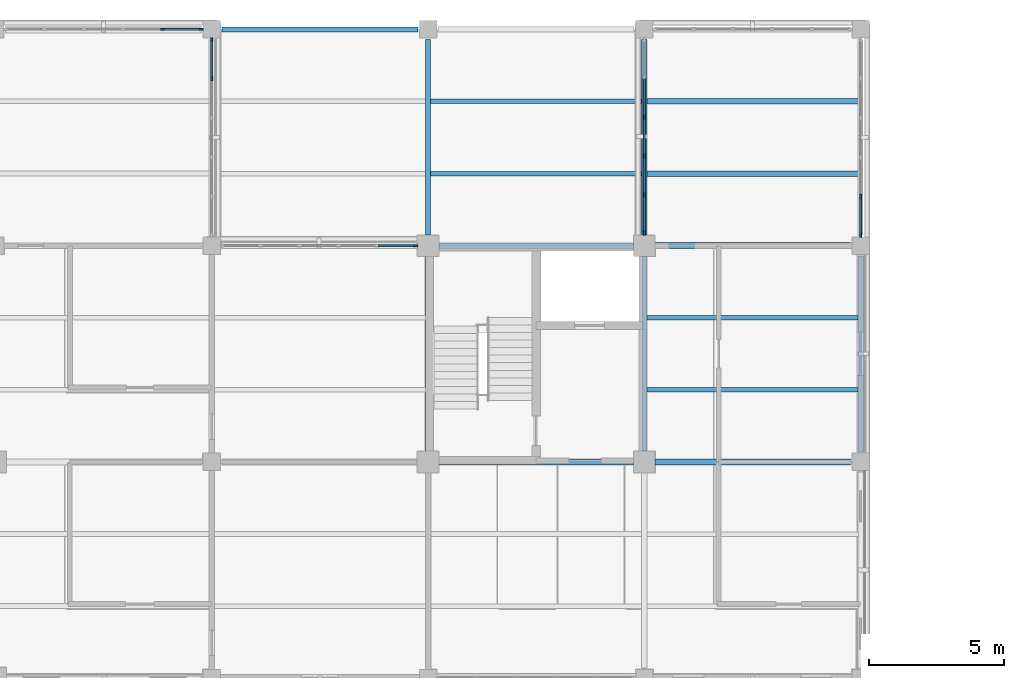
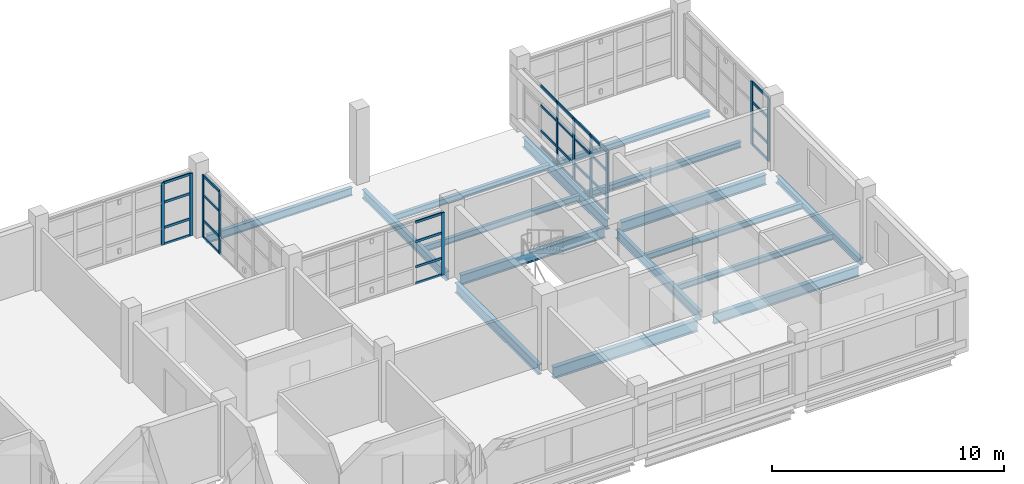
# One storey, part 37 of 126: 43 members, 16 beams, 5 elements without a shape of their own.
"""IFC4 building model written with IfcOpenShell, lengths in metres."""

from ifc_helpers import new_model, si_unit, derived_unit, direction, frame, origin, origin_2d, place, context, subcontext, project, spatial, rectangle, i_section, extrude, material, layer, layer_set, material_profile, profile_set, type_object, element, aggregate, save


model = new_model("IFC4")

# Units and contexts
model_context = context("Model", 3, precision=1e-05, world=origin(), true_north=direction((0.0, 1.0)))
body_context = subcontext(model_context, "Body", "Model", "MODEL_VIEW")
ifc_project = project(units=[si_unit("LENGTHUNIT", "METRE"), si_unit("AREAUNIT", "SQUARE_METRE"), si_unit("VOLUMEUNIT", "CUBIC_METRE"), si_unit("PLANEANGLEUNIT", "RADIAN"), si_unit("MASSUNIT", "GRAM", prefix="KILO"), derived_unit("THERMALTRANSMITTANCEUNIT", [(si_unit("MASSUNIT", "GRAM", prefix="KILO"), 1), (si_unit("TIMEUNIT", "SECOND"), -3), (si_unit("THERMODYNAMICTEMPERATUREUNIT", "KELVIN"), -1)])], contexts=[model_context])

# Site, building, storey
site_placement = place(None, origin())
site = spatial("IfcSite", under=ifc_project, at=site_placement, CompositionType="ELEMENT")
building_placement = place(site_placement, origin())
building = spatial("IfcBuilding", under=site, at=building_placement, Name="Veyamyaing Civic Hall", CompositionType="ELEMENT")
storey_placement = place(building_placement, frame((0.0, 0.0, 9.89990234375)))
storey = spatial("IfcBuildingStorey", under=building, at=storey_placement, Name="L02", CompositionType="ELEMENT", Elevation=9.89990234375)

# Beams
ifc_material_1 = material(Name="Steel ASTM A992", Category="steel")
ifc_material_profile_1 = material_profile(ifc_material_1, i_section(OverallWidth=0.22802734375, OverallDepth=0.60791015625, WebThickness=0.01123046875, FlangeThickness=0.017333984375, FilletRadius=0.012939453125, at=origin_2d()), Name="W610X113")
ifc_profile_set_1 = profile_set([ifc_material_profile_1], Name="Steel ASTM A992")
beam_type_1 = type_object("IfcBeamType", Name="B-06", PredefinedType="BEAM", material=ifc_profile_set_1)
beam_1_placement = place(storey_placement, frame((32.39990234375, 96.0, -0.5888671875), z_axis=(1.0, 0.0, 0.0), x_axis=(0.0, 1.0, 0.0)))
element("IfcBeam", 1, at=beam_1_placement, inside=storey, type_object=beam_type_1, Name="Girder B-06 L02 Grid N 5-6", PredefinedType="BEAM", context=body_context, shape_type="SweptSolid", body=[
    extrude(i_section(OverallWidth=0.22802734375, OverallDepth=0.60791015625, WebThickness=0.01123046875, FlangeThickness=0.017333984375, FilletRadius=0.012939453125, at=origin_2d()), origin(), (0.0, 0.0, 1.0), 7.2001953125),
])
ifc_material_profile_2 = material_profile(ifc_material_1, i_section(OverallWidth=0.208984375, OverallDepth=0.532958984375, WebThickness=0.01025390625, FlangeThickness=0.015625, FilletRadius=0.011962890625, at=origin_2d()), Name="W530X92")
ifc_profile_set_2 = profile_set([ifc_material_profile_2], Name="Steel ASTM A992")
beam_type_2 = type_object("IfcBeamType", Name="B-07", PredefinedType="BEAM", material=ifc_profile_set_2)
beam_2_placement = place(storey_placement, frame((40.39990234375, 96.0, -0.551513671875), z_axis=(1.0, 0.0, 0.0), x_axis=(0.0, 1.0, 0.0)))
element("IfcBeam", 2, at=beam_2_placement, inside=storey, type_object=beam_type_2, Name="Girder B-07 L02 Grid N 6-7", PredefinedType="BEAM", context=body_context, shape_type="SweptSolid", body=[
    extrude(i_section(OverallWidth=0.208984375, OverallDepth=0.532958984375, WebThickness=0.01025390625, FlangeThickness=0.015625, FilletRadius=0.011962890625, at=origin_2d()), origin(), (0.0, 0.0, 1.0), 7.22509765625),
])
for number, where, z_axis, x_axis, name in (
    (3, (32.39990234375, 104.0, -0.551513671875), (1.0, 0.0, 0.0), (0.0, 1.0, 0.0), "Girder B-07 L02 Grid P 5-6"),
    (4, (32.0, 96.39990234375, -0.551513671875), (0.0, 1.0, 0.0), (-1.0, 0.0, 0.0), "Girder B-07 L02 Grid 5 N-P"),
):
    element("IfcBeam", number, at=place(storey_placement, frame(where, z_axis=z_axis, x_axis=x_axis)), inside=storey, type_object=beam_type_2, Name=name, PredefinedType="BEAM", context=body_context, shape_type="SweptSolid", body=[
        extrude(i_section(OverallWidth=0.208984375, OverallDepth=0.532958984375, WebThickness=0.01025390625, FlangeThickness=0.015625, FilletRadius=0.011962890625, at=origin_2d()), origin(), (0.0, 0.0, 1.0), 7.2001953125),
    ])
ifc_material_profile_3 = material_profile(ifc_material_1, i_section(OverallWidth=0.19189453125, OverallDepth=0.462890625, WebThickness=0.010498046875, FlangeThickness=0.017578125, FilletRadius=0.010009765625, at=origin_2d()), Name="W460X89")
ifc_profile_set_3 = profile_set([ifc_material_profile_3], Name="Steel ASTM A992")
beam_type_3 = type_object("IfcBeamType", Name="B-08", PredefinedType="BEAM", material=ifc_profile_set_3)
beam_3_placement = place(storey_placement, frame((32.0, 104.39990234375, -0.471435546875), z_axis=(0.0, 1.0, 0.0), x_axis=(-1.0, 0.0, 0.0)))
element("IfcBeam", 5, at=beam_3_placement, inside=storey, type_object=beam_type_3, Name="Girder B-08 L02 Grid 5 P-Q", PredefinedType="BEAM", context=body_context, shape_type="SweptSolid", body=[
    extrude(i_section(OverallWidth=0.19189453125, OverallDepth=0.462890625, WebThickness=0.010498046875, FlangeThickness=0.017578125, FilletRadius=0.010009765625, at=origin_2d()), origin(), (0.0, 0.0, 1.0), 7.22509765625),
])
beam_4_placement = place(storey_placement, frame((40.0, 96.39990234375, -0.516357421875), z_axis=(0.0, 1.0, 0.0), x_axis=(-1.0, 0.0, 0.0)))
element("IfcBeam", 6, at=beam_4_placement, inside=storey, type_object=beam_type_3, Name="Girder B-08 L02 Grid 6 N-P", PredefinedType="BEAM", context=body_context, shape_type="SweptSolid", body=[
    extrude(i_section(OverallWidth=0.19189453125, OverallDepth=0.462890625, WebThickness=0.010498046875, FlangeThickness=0.017578125, FilletRadius=0.010009765625, at=origin_2d()), origin(), (0.0, 0.0, 1.0), 7.2001953125),
])
ifc_material_profile_4 = material_profile(ifc_material_1, i_section(OverallWidth=0.179931640625, OverallDepth=0.4130859375, WebThickness=0.009765625, FlangeThickness=0.01611328125, FilletRadius=0.010009765625, at=origin_2d()), Name="W410X74")
ifc_profile_set_4 = profile_set([ifc_material_profile_4], Name="Steel ASTM A992")
beam_type_4 = type_object("IfcBeamType", Name="B-10", PredefinedType="SPANDREL", material=ifc_profile_set_4)
beam_5_placement = place(storey_placement, frame((24.375, 112.0, -0.4462890625), z_axis=(1.0, 0.0, 0.0), x_axis=(0.0, 1.0, 0.0)))
element("IfcBeam", 7, at=beam_5_placement, inside=storey, type_object=beam_type_4, Name="Girder B-10 L02 Grid Q 4-5", PredefinedType="SPANDREL", context=body_context, shape_type="SweptSolid", body=[
    extrude(i_section(OverallWidth=0.179931640625, OverallDepth=0.4130859375, WebThickness=0.009765625, FlangeThickness=0.01611328125, FilletRadius=0.010009765625, at=origin_2d()), origin(), (0.0, 0.0, 1.0), 7.25),
])
ifc_material_profile_5 = material_profile(ifc_material_1, i_section(OverallWidth=0.2041015625, OverallDepth=0.35009765625, WebThickness=0.0078125, FlangeThickness=0.01513671875, FilletRadius=0.010009765625, at=origin_2d()), Name="W360X72")
ifc_profile_set_5 = profile_set([ifc_material_profile_5], Name="Steel ASTM A992")
beam_type_5 = type_object("IfcBeamType", Name="B-11", PredefinedType="SPANDREL", material=ifc_profile_set_5)
beam_6_placement = place(storey_placement, frame((48.0, 96.375, -0.4599609375), z_axis=(0.0, 1.0, 0.0), x_axis=(-1.0, 0.0, 0.0)))
element("IfcBeam", 8, at=beam_6_placement, inside=storey, type_object=beam_type_5, Name="Girder B-11 L02 Grid 7 N-P", PredefinedType="SPANDREL", context=body_context, shape_type="SweptSolid", body=[
    extrude(i_section(OverallWidth=0.2041015625, OverallDepth=0.35009765625, WebThickness=0.0078125, FlangeThickness=0.01513671875, FilletRadius=0.010009765625, at=origin_2d()), origin(), (0.0, 0.0, 1.0), 7.25),
])
ifc_material_profile_6 = material_profile(ifc_material_1, i_section(OverallWidth=0.214111328125, OverallDepth=0.549072265625, WebThickness=0.0146484375, FlangeThickness=0.023681640625, FilletRadius=0.011962890625, at=origin_2d()), Name="W530X138")
ifc_profile_set_6 = profile_set([ifc_material_profile_6], Name="Steel ASTM A992")
beam_type_6 = type_object("IfcBeamType", Name="B-16", PredefinedType="BEAM", material=ifc_profile_set_6)
beam_7_placement = place(storey_placement, frame((40.39990234375, 104.0, -0.559326171875), z_axis=(1.0, 0.0, 0.0), x_axis=(0.0, 1.0, 0.0)))
element("IfcBeam", 9, at=beam_7_placement, inside=storey, type_object=beam_type_6, Name="Girder B-16 L02 Grid P 6-7", PredefinedType="BEAM", context=body_context, shape_type="SweptSolid", body=[
    extrude(i_section(OverallWidth=0.214111328125, OverallDepth=0.549072265625, WebThickness=0.0146484375, FlangeThickness=0.023681640625, FilletRadius=0.011962890625, at=origin_2d()), origin(), (0.0, 0.0, 1.0), 7.22509765625),
])
ifc_material_profile_7 = material_profile(ifc_material_1, i_section(OverallWidth=0.2109375, OverallDepth=0.5390625, WebThickness=0.01171875, FlangeThickness=0.018798828125, FilletRadius=0.011962890625, at=origin_2d()), Name="W530X109")
ifc_profile_set_7 = profile_set([ifc_material_profile_7], Name="Steel ASTM A992")
beam_type_7 = type_object("IfcBeamType", Name="B-17", PredefinedType="BEAM", material=ifc_profile_set_7)
beam_8_placement = place(storey_placement, frame((40.0, 104.39990234375, -0.554443359375), z_axis=(0.0, 1.0, 0.0), x_axis=(-1.0, 0.0, 0.0)))
element("IfcBeam", 10, at=beam_8_placement, inside=storey, type_object=beam_type_7, Name="Girder B-17 L02 Grid 6 P-Q", PredefinedType="BEAM", context=body_context, shape_type="SweptSolid", body=[
    extrude(i_section(OverallWidth=0.2109375, OverallDepth=0.5390625, WebThickness=0.01171875, FlangeThickness=0.018798828125, FilletRadius=0.011962890625, at=origin_2d()), origin(), (0.0, 0.0, 1.0), 7.22509765625),
])

# Curtain wall, members
ifc_material_2 = material(Name="Anodised aluminium 6063-T6", Category="aluminium")
ifc_layer = layer(ifc_material_2, 0.159912109375, Name="Anodised aluminium 6063-T6")
ifc_layer_set = layer_set([ifc_layer], Name="Anodised aluminium 6063-T6")
curtain_wall_type = type_object("IfcCurtainWallType", Name="CW-03", PredefinedType="NOTDEFINED", material=ifc_layer_set)
curtain_wall_1_placement = place(storey_placement, origin())
curtain_wall_1 = element("IfcCurtainWall", 11, at=curtain_wall_1_placement, inside=storey, type_object=curtain_wall_type, Name="Unitized curtain wall CW-03 L02 N 3.14", PredefinedType="NOTDEFINED")
ifc_material_profile_8 = material_profile(ifc_material_2, rectangle(XDim=0.06494140625, YDim=0.159912109375, at=origin_2d()), Name="ALU-MUL-65X160")
ifc_profile_set_8 = profile_set([ifc_material_profile_8], Name="Anodised aluminium 6063-T6")
member_type_1 = type_object("IfcMemberType", Name="CWM-01", PredefinedType="MULLION", material=ifc_profile_set_8)
member_1_placement = place(storey_placement, frame((22.18701171875, 112.0, 0.0), z_axis=(0.0, 0.0, 1.0), x_axis=(0.0, 1.0, 0.0)))
member_1 = element("IfcMember", 12, at=member_1_placement, type_object=member_type_1, Name="CW-03 mullion 5", PredefinedType="MULLION", context=body_context, shape_type="SweptSolid", body=[
    extrude(rectangle(XDim=0.06494140625, YDim=0.159912109375, at=origin_2d()), origin(), (0.0, 0.0, 1.0), 3.2841796875),
])
member_2_placement = place(storey_placement, frame((23.612548828125, 112.0, 0.0), z_axis=(0.0, 0.0, 1.0), x_axis=(0.0, 1.0, 0.0)))
member_2 = element("IfcMember", 13, at=member_2_placement, type_object=member_type_1, Name="CW-03 mullion 6", PredefinedType="MULLION", context=body_context, shape_type="SweptSolid", body=[
    extrude(rectangle(XDim=0.06494140625, YDim=0.159912109375, at=origin_2d()), origin(), (0.0, 0.0, 1.0), 3.2841796875),
])

curtain_wall_2_placement = place(storey_placement, origin())
curtain_wall_2 = element("IfcCurtainWall", 14, at=curtain_wall_2_placement, inside=storey, type_object=curtain_wall_type, Name="Unitized curtain wall CW-03 L02 E 3.14", PredefinedType="NOTDEFINED")
member_3_placement = place(storey_placement, frame((24.0, 110.18701171875, 0.0), z_axis=(0.0, 0.0, 1.0), x_axis=(-1.0, 0.0, 0.0)))
member_3 = element("IfcMember", 15, at=member_3_placement, type_object=member_type_1, Name="CW-03 mullion 5", PredefinedType="MULLION", context=body_context, shape_type="SweptSolid", body=[
    extrude(rectangle(XDim=0.06494140625, YDim=0.159912109375, at=origin_2d()), origin(), (0.0, 0.0, 1.0), 3.2841796875),
])
member_4_placement = place(storey_placement, frame((24.0, 111.612548828125, 0.0), z_axis=(0.0, 0.0, 1.0), x_axis=(-1.0, 0.0, 0.0)))
member_4 = element("IfcMember", 16, at=member_4_placement, type_object=member_type_1, Name="CW-03 mullion 6", PredefinedType="MULLION", context=body_context, shape_type="SweptSolid", body=[
    extrude(rectangle(XDim=0.06494140625, YDim=0.159912109375, at=origin_2d()), origin(), (0.0, 0.0, 1.0), 3.2841796875),
])

# Curtain wall, member
curtain_wall_3_placement = place(storey_placement, origin())
curtain_wall_3 = element("IfcCurtainWall", 17, at=curtain_wall_3_placement, inside=storey, type_object=curtain_wall_type, Name="Unitized curtain wall CW-03 L02 N 4.13", PredefinedType="NOTDEFINED")
member_5_placement = place(storey_placement, frame((31.53759765625, 104.0, 0.0), z_axis=(0.0, 0.0, 1.0), x_axis=(0.0, 1.0, 0.0)))
member_5 = element("IfcMember", 18, at=member_5_placement, type_object=member_type_1, Name="CW-03 mullion 6", PredefinedType="MULLION", context=body_context, shape_type="SweptSolid", body=[
    extrude(rectangle(XDim=0.06494140625, YDim=0.159912109375, at=origin_2d()), origin(), (0.0, 0.0, 1.0), 3.2841796875),
])

# Curtain wall, members
curtain_wall_4_placement = place(storey_placement, origin())
curtain_wall_4 = element("IfcCurtainWall", 19, at=curtain_wall_4_placement, inside=storey, type_object=curtain_wall_type, Name="Unitized curtain wall CW-03 L02 W 6.14", PredefinedType="NOTDEFINED")
member_6_placement = place(storey_placement, frame((40.0, 104.46240234375, 0.0), z_axis=(0.0, 0.0, 1.0), x_axis=(-1.0, 0.0, 0.0)))
member_6 = element("IfcMember", 20, at=member_6_placement, type_object=member_type_1, Name="CW-03 mullion 1", PredefinedType="MULLION", context=body_context, shape_type="SweptSolid", body=[
    extrude(rectangle(XDim=0.06494140625, YDim=0.159912109375, at=origin_2d()), origin(), (0.0, 0.0, 1.0), 3.280029296875),
])
member_7_placement = place(storey_placement, frame((40.0, 105.873046875, 0.0), z_axis=(0.0, 0.0, 1.0), x_axis=(-1.0, 0.0, 0.0)))
member_7 = element("IfcMember", 21, at=member_7_placement, type_object=member_type_1, Name="CW-03 mullion 2", PredefinedType="MULLION", context=body_context, shape_type="SweptSolid", body=[
    extrude(rectangle(XDim=0.06494140625, YDim=0.159912109375, at=origin_2d()), origin(), (0.0, 0.0, 1.0), 3.280029296875),
])
member_8_placement = place(storey_placement, frame((40.0, 107.31591796875, 0.0), z_axis=(0.0, 0.0, 1.0), x_axis=(-1.0, 0.0, 0.0)))
member_8 = element("IfcMember", 22, at=member_8_placement, type_object=member_type_1, Name="CW-03 mullion 3", PredefinedType="MULLION", context=body_context, shape_type="SweptSolid", body=[
    extrude(rectangle(XDim=0.06494140625, YDim=0.159912109375, at=origin_2d()), origin(), (0.0, 0.0, 1.0), 3.280029296875),
])
member_9_placement = place(storey_placement, frame((40.0, 108.759033203125, 0.0), z_axis=(0.0, 0.0, 1.0), x_axis=(-1.0, 0.0, 0.0)))
member_9 = element("IfcMember", 23, at=member_9_placement, type_object=member_type_1, Name="CW-03 mullion 4", PredefinedType="MULLION", context=body_context, shape_type="SweptSolid", body=[
    extrude(rectangle(XDim=0.06494140625, YDim=0.159912109375, at=origin_2d()), origin(), (0.0, 0.0, 1.0), 3.280029296875),
])

curtain_wall_5_placement = place(storey_placement, origin())
curtain_wall_5 = element("IfcCurtainWall", 24, at=curtain_wall_5_placement, inside=storey, type_object=curtain_wall_type, Name="Unitized curtain wall CW-03 L02 E 6.14", PredefinedType="NOTDEFINED")
member_10_placement = place(storey_placement, frame((48.0, 104.387451171875, 0.0), z_axis=(0.0, 0.0, 1.0), x_axis=(-1.0, 0.0, 0.0)))
member_10 = element("IfcMember", 25, at=member_10_placement, type_object=member_type_1, Name="CW-03 mullion 1", PredefinedType="MULLION", context=body_context, shape_type="SweptSolid", body=[
    extrude(rectangle(XDim=0.06494140625, YDim=0.159912109375, at=origin_2d()), origin(), (0.0, 0.0, 1.0), 3.343994140625),
])
member_11_placement = place(storey_placement, frame((48.0, 105.81298828125, 0.0), z_axis=(0.0, 0.0, 1.0), x_axis=(-1.0, 0.0, 0.0)))
member_11 = element("IfcMember", 26, at=member_11_placement, type_object=member_type_1, Name="CW-03 mullion 2", PredefinedType="MULLION", context=body_context, shape_type="SweptSolid", body=[
    extrude(rectangle(XDim=0.06494140625, YDim=0.159912109375, at=origin_2d()), origin(), (0.0, 0.0, 1.0), 3.343994140625),
])

# Member
ifc_material_profile_9 = material_profile(ifc_material_2, rectangle(XDim=0.06494140625, YDim=0.1201171875, at=origin_2d()), Name="ALU-TRN-65X120")
ifc_profile_set_9 = profile_set([ifc_material_profile_9], Name="Anodised aluminium 6063-T6")
member_type_2 = type_object("IfcMemberType", Name="CWT-01", PredefinedType="USERDEFINED", material=ifc_profile_set_9)
member_12_placement = place(storey_placement, frame((22.219482421875, 112.0, 0.03271484375), z_axis=(1.0, 0.0, 0.0), x_axis=(0.0, 1.0, 0.0)))
member_12 = element("IfcMember", 27, at=member_12_placement, type_object=member_type_2, Name="CW-03 transom 5.1", ObjectType="TRANSOM", PredefinedType="USERDEFINED", context=body_context, shape_type="SweptSolid", body=[
    extrude(rectangle(XDim=0.06494140625, YDim=0.1201171875, at=origin_2d()), origin(), (0.0, 0.0, 1.0), 1.360595703125),
])

member_13_placement = place(storey_placement, frame((22.219482421875, 112.0, 0.900146484375), z_axis=(1.0, 0.0, 0.0), x_axis=(0.0, 1.0, 0.0)))
member_13 = element("IfcMember", 28, at=member_13_placement, type_object=member_type_2, Name="CW-03 transom 5.2", ObjectType="TRANSOM", PredefinedType="USERDEFINED", context=body_context, shape_type="SweptSolid", body=[
    extrude(rectangle(XDim=0.06494140625, YDim=0.1201171875, at=origin_2d()), origin(), (0.0, 0.0, 1.0), 1.360595703125),
])

member_14_placement = place(storey_placement, frame((22.219482421875, 112.0, 2.233154296875), z_axis=(1.0, 0.0, 0.0), x_axis=(0.0, 1.0, 0.0)))
member_14 = element("IfcMember", 29, at=member_14_placement, type_object=member_type_2, Name="CW-03 transom 5.3", ObjectType="TRANSOM", PredefinedType="USERDEFINED", context=body_context, shape_type="SweptSolid", body=[
    extrude(rectangle(XDim=0.06494140625, YDim=0.1201171875, at=origin_2d()), origin(), (0.0, 0.0, 1.0), 1.360595703125),
])

member_15_placement = place(storey_placement, frame((22.219482421875, 112.0, 3.251708984375), z_axis=(1.0, 0.0, 0.0), x_axis=(0.0, 1.0, 0.0)))
member_15 = element("IfcMember", 30, at=member_15_placement, type_object=member_type_2, Name="CW-03 transom 5.4", ObjectType="TRANSOM", PredefinedType="USERDEFINED", context=body_context, shape_type="SweptSolid", body=[
    extrude(rectangle(XDim=0.06494140625, YDim=0.1201171875, at=origin_2d()), origin(), (0.0, 0.0, 1.0), 1.360595703125),
])

aggregate(curtain_wall_1, [member_1, member_2, member_12, member_13, member_14, member_15])

member_16_placement = place(storey_placement, frame((24.0, 110.219482421875, 0.03271484375), z_axis=(0.0, 1.0, 0.0), x_axis=(-1.0, 0.0, 0.0)))
member_16 = element("IfcMember", 31, at=member_16_placement, type_object=member_type_2, Name="CW-03 transom 5.1", ObjectType="TRANSOM", PredefinedType="USERDEFINED", context=body_context, shape_type="SweptSolid", body=[
    extrude(rectangle(XDim=0.06494140625, YDim=0.1201171875, at=origin_2d()), origin(), (0.0, 0.0, 1.0), 1.360595703125),
])

member_17_placement = place(storey_placement, frame((24.0, 110.219482421875, 0.900146484375), z_axis=(0.0, 1.0, 0.0), x_axis=(-1.0, 0.0, 0.0)))
member_17 = element("IfcMember", 32, at=member_17_placement, type_object=member_type_2, Name="CW-03 transom 5.2", ObjectType="TRANSOM", PredefinedType="USERDEFINED", context=body_context, shape_type="SweptSolid", body=[
    extrude(rectangle(XDim=0.06494140625, YDim=0.1201171875, at=origin_2d()), origin(), (0.0, 0.0, 1.0), 1.360595703125),
])

member_18_placement = place(storey_placement, frame((24.0, 110.219482421875, 2.233154296875), z_axis=(0.0, 1.0, 0.0), x_axis=(-1.0, 0.0, 0.0)))
member_18 = element("IfcMember", 33, at=member_18_placement, type_object=member_type_2, Name="CW-03 transom 5.3", ObjectType="TRANSOM", PredefinedType="USERDEFINED", context=body_context, shape_type="SweptSolid", body=[
    extrude(rectangle(XDim=0.06494140625, YDim=0.1201171875, at=origin_2d()), origin(), (0.0, 0.0, 1.0), 1.360595703125),
])

member_19_placement = place(storey_placement, frame((24.0, 110.219482421875, 3.251708984375), z_axis=(0.0, 1.0, 0.0), x_axis=(-1.0, 0.0, 0.0)))
member_19 = element("IfcMember", 34, at=member_19_placement, type_object=member_type_2, Name="CW-03 transom 5.4", ObjectType="TRANSOM", PredefinedType="USERDEFINED", context=body_context, shape_type="SweptSolid", body=[
    extrude(rectangle(XDim=0.06494140625, YDim=0.1201171875, at=origin_2d()), origin(), (0.0, 0.0, 1.0), 1.360595703125),
])

aggregate(curtain_wall_2, [member_3, member_4, member_16, member_17, member_18, member_19])

member_20_placement = place(storey_placement, frame((30.159423828125, 104.0, 0.03271484375), z_axis=(1.0, 0.0, 0.0), x_axis=(0.0, 1.0, 0.0)))
member_20 = element("IfcMember", 35, at=member_20_placement, type_object=member_type_2, Name="CW-03 transom 5.1", ObjectType="TRANSOM", PredefinedType="USERDEFINED", context=body_context, shape_type="SweptSolid", body=[
    extrude(rectangle(XDim=0.06494140625, YDim=0.1201171875, at=origin_2d()), origin(), (0.0, 0.0, 1.0), 1.345458984375),
])

member_21_placement = place(storey_placement, frame((30.159423828125, 104.0, 0.900146484375), z_axis=(1.0, 0.0, 0.0), x_axis=(0.0, 1.0, 0.0)))
member_21 = element("IfcMember", 36, at=member_21_placement, type_object=member_type_2, Name="CW-03 transom 5.2", ObjectType="TRANSOM", PredefinedType="USERDEFINED", context=body_context, shape_type="SweptSolid", body=[
    extrude(rectangle(XDim=0.06494140625, YDim=0.1201171875, at=origin_2d()), origin(), (0.0, 0.0, 1.0), 1.345458984375),
])

member_22_placement = place(storey_placement, frame((30.159423828125, 104.0, 2.233154296875), z_axis=(1.0, 0.0, 0.0), x_axis=(0.0, 1.0, 0.0)))
member_22 = element("IfcMember", 37, at=member_22_placement, type_object=member_type_2, Name="CW-03 transom 5.3", ObjectType="TRANSOM", PredefinedType="USERDEFINED", context=body_context, shape_type="SweptSolid", body=[
    extrude(rectangle(XDim=0.06494140625, YDim=0.1201171875, at=origin_2d()), origin(), (0.0, 0.0, 1.0), 1.345458984375),
])

member_23_placement = place(storey_placement, frame((30.159423828125, 104.0, 3.251708984375), z_axis=(1.0, 0.0, 0.0), x_axis=(0.0, 1.0, 0.0)))
member_23 = element("IfcMember", 38, at=member_23_placement, type_object=member_type_2, Name="CW-03 transom 5.4", ObjectType="TRANSOM", PredefinedType="USERDEFINED", context=body_context, shape_type="SweptSolid", body=[
    extrude(rectangle(XDim=0.06494140625, YDim=0.1201171875, at=origin_2d()), origin(), (0.0, 0.0, 1.0), 1.345458984375),
])

aggregate(curtain_wall_3, [member_5, member_20, member_21, member_22, member_23])

member_24_placement = place(storey_placement, frame((40.0, 104.4951171875, 0.03271484375), z_axis=(0.0, 1.0, 0.0), x_axis=(-1.0, 0.0, 0.0)))
member_24 = element("IfcMember", 39, at=member_24_placement, type_object=member_type_2, Name="CW-03 transom 1.1", ObjectType="TRANSOM", PredefinedType="USERDEFINED", context=body_context, shape_type="SweptSolid", body=[
    extrude(rectangle(XDim=0.06494140625, YDim=0.1201171875, at=origin_2d()), origin(), (0.0, 0.0, 1.0), 1.345458984375),
])

member_25_placement = place(storey_placement, frame((40.0, 104.4951171875, 0.900146484375), z_axis=(0.0, 1.0, 0.0), x_axis=(-1.0, 0.0, 0.0)))
member_25 = element("IfcMember", 40, at=member_25_placement, type_object=member_type_2, Name="CW-03 transom 1.2", ObjectType="TRANSOM", PredefinedType="USERDEFINED", context=body_context, shape_type="SweptSolid", body=[
    extrude(rectangle(XDim=0.06494140625, YDim=0.1201171875, at=origin_2d()), origin(), (0.0, 0.0, 1.0), 1.345458984375),
])

member_26_placement = place(storey_placement, frame((40.0, 104.4951171875, 2.23046875), z_axis=(0.0, 1.0, 0.0), x_axis=(-1.0, 0.0, 0.0)))
member_26 = element("IfcMember", 41, at=member_26_placement, type_object=member_type_2, Name="CW-03 transom 1.3", ObjectType="TRANSOM", PredefinedType="USERDEFINED", context=body_context, shape_type="SweptSolid", body=[
    extrude(rectangle(XDim=0.06494140625, YDim=0.1201171875, at=origin_2d()), origin(), (0.0, 0.0, 1.0), 1.345458984375),
])

member_27_placement = place(storey_placement, frame((40.0, 104.4951171875, 3.24755859375), z_axis=(0.0, 1.0, 0.0), x_axis=(-1.0, 0.0, 0.0)))
member_27 = element("IfcMember", 42, at=member_27_placement, type_object=member_type_2, Name="CW-03 transom 1.4", ObjectType="TRANSOM", PredefinedType="USERDEFINED", context=body_context, shape_type="SweptSolid", body=[
    extrude(rectangle(XDim=0.06494140625, YDim=0.1201171875, at=origin_2d()), origin(), (0.0, 0.0, 1.0), 1.345458984375),
])

member_28_placement = place(storey_placement, frame((40.0, 105.905517578125, 0.03271484375), z_axis=(0.0, 1.0, 0.0), x_axis=(-1.0, 0.0, 0.0)))
member_28 = element("IfcMember", 43, at=member_28_placement, type_object=member_type_2, Name="CW-03 transom 2.1", ObjectType="TRANSOM", PredefinedType="USERDEFINED", context=body_context, shape_type="SweptSolid", body=[
    extrude(rectangle(XDim=0.06494140625, YDim=0.1201171875, at=origin_2d()), origin(), (0.0, 0.0, 1.0), 1.3779296875),
])

member_29_placement = place(storey_placement, frame((40.0, 105.905517578125, 0.900146484375), z_axis=(0.0, 1.0, 0.0), x_axis=(-1.0, 0.0, 0.0)))
member_29 = element("IfcMember", 44, at=member_29_placement, type_object=member_type_2, Name="CW-03 transom 2.2", ObjectType="TRANSOM", PredefinedType="USERDEFINED", context=body_context, shape_type="SweptSolid", body=[
    extrude(rectangle(XDim=0.06494140625, YDim=0.1201171875, at=origin_2d()), origin(), (0.0, 0.0, 1.0), 1.3779296875),
])

member_30_placement = place(storey_placement, frame((40.0, 105.905517578125, 2.23046875), z_axis=(0.0, 1.0, 0.0), x_axis=(-1.0, 0.0, 0.0)))
member_30 = element("IfcMember", 45, at=member_30_placement, type_object=member_type_2, Name="CW-03 transom 2.3", ObjectType="TRANSOM", PredefinedType="USERDEFINED", context=body_context, shape_type="SweptSolid", body=[
    extrude(rectangle(XDim=0.06494140625, YDim=0.1201171875, at=origin_2d()), origin(), (0.0, 0.0, 1.0), 1.3779296875),
])

member_31_placement = place(storey_placement, frame((40.0, 105.905517578125, 3.24755859375), z_axis=(0.0, 1.0, 0.0), x_axis=(-1.0, 0.0, 0.0)))
member_31 = element("IfcMember", 46, at=member_31_placement, type_object=member_type_2, Name="CW-03 transom 2.4", ObjectType="TRANSOM", PredefinedType="USERDEFINED", context=body_context, shape_type="SweptSolid", body=[
    extrude(rectangle(XDim=0.06494140625, YDim=0.1201171875, at=origin_2d()), origin(), (0.0, 0.0, 1.0), 1.3779296875),
])

member_32_placement = place(storey_placement, frame((40.0, 107.348388671875, 0.03271484375), z_axis=(0.0, 1.0, 0.0), x_axis=(-1.0, 0.0, 0.0)))
member_32 = element("IfcMember", 47, at=member_32_placement, type_object=member_type_2, Name="CW-03 transom 3.1", ObjectType="TRANSOM", PredefinedType="USERDEFINED", context=body_context, shape_type="SweptSolid", body=[
    extrude(rectangle(XDim=0.06494140625, YDim=0.1201171875, at=origin_2d()), origin(), (0.0, 0.0, 1.0), 1.378173828125),
])

member_33_placement = place(storey_placement, frame((40.0, 107.348388671875, 0.900146484375), z_axis=(0.0, 1.0, 0.0), x_axis=(-1.0, 0.0, 0.0)))
member_33 = element("IfcMember", 48, at=member_33_placement, type_object=member_type_2, Name="CW-03 transom 3.2", ObjectType="TRANSOM", PredefinedType="USERDEFINED", context=body_context, shape_type="SweptSolid", body=[
    extrude(rectangle(XDim=0.06494140625, YDim=0.1201171875, at=origin_2d()), origin(), (0.0, 0.0, 1.0), 1.378173828125),
])

member_34_placement = place(storey_placement, frame((40.0, 107.348388671875, 2.23046875), z_axis=(0.0, 1.0, 0.0), x_axis=(-1.0, 0.0, 0.0)))
member_34 = element("IfcMember", 49, at=member_34_placement, type_object=member_type_2, Name="CW-03 transom 3.3", ObjectType="TRANSOM", PredefinedType="USERDEFINED", context=body_context, shape_type="SweptSolid", body=[
    extrude(rectangle(XDim=0.06494140625, YDim=0.1201171875, at=origin_2d()), origin(), (0.0, 0.0, 1.0), 1.378173828125),
])

member_35_placement = place(storey_placement, frame((40.0, 107.348388671875, 3.24755859375), z_axis=(0.0, 1.0, 0.0), x_axis=(-1.0, 0.0, 0.0)))
member_35 = element("IfcMember", 50, at=member_35_placement, type_object=member_type_2, Name="CW-03 transom 3.4", ObjectType="TRANSOM", PredefinedType="USERDEFINED", context=body_context, shape_type="SweptSolid", body=[
    extrude(rectangle(XDim=0.06494140625, YDim=0.1201171875, at=origin_2d()), origin(), (0.0, 0.0, 1.0), 1.378173828125),
])

member_36_placement = place(storey_placement, frame((40.0, 108.79150390625, 0.03271484375), z_axis=(0.0, 1.0, 0.0), x_axis=(-1.0, 0.0, 0.0)))
member_36 = element("IfcMember", 51, at=member_36_placement, type_object=member_type_2, Name="CW-03 transom 4.1", ObjectType="TRANSOM", PredefinedType="USERDEFINED", context=body_context, shape_type="SweptSolid", body=[
    extrude(rectangle(XDim=0.06494140625, YDim=0.1201171875, at=origin_2d()), origin(), (0.0, 0.0, 1.0), 1.3779296875),
])

member_37_placement = place(storey_placement, frame((40.0, 108.79150390625, 0.900146484375), z_axis=(0.0, 1.0, 0.0), x_axis=(-1.0, 0.0, 0.0)))
member_37 = element("IfcMember", 52, at=member_37_placement, type_object=member_type_2, Name="CW-03 transom 4.2", ObjectType="TRANSOM", PredefinedType="USERDEFINED", context=body_context, shape_type="SweptSolid", body=[
    extrude(rectangle(XDim=0.06494140625, YDim=0.1201171875, at=origin_2d()), origin(), (0.0, 0.0, 1.0), 1.3779296875),
])

member_38_placement = place(storey_placement, frame((40.0, 108.79150390625, 2.23046875), z_axis=(0.0, 1.0, 0.0), x_axis=(-1.0, 0.0, 0.0)))
member_38 = element("IfcMember", 53, at=member_38_placement, type_object=member_type_2, Name="CW-03 transom 4.3", ObjectType="TRANSOM", PredefinedType="USERDEFINED", context=body_context, shape_type="SweptSolid", body=[
    extrude(rectangle(XDim=0.06494140625, YDim=0.1201171875, at=origin_2d()), origin(), (0.0, 0.0, 1.0), 1.3779296875),
])

member_39_placement = place(storey_placement, frame((40.0, 108.79150390625, 3.24755859375), z_axis=(0.0, 1.0, 0.0), x_axis=(-1.0, 0.0, 0.0)))
member_39 = element("IfcMember", 54, at=member_39_placement, type_object=member_type_2, Name="CW-03 transom 4.4", ObjectType="TRANSOM", PredefinedType="USERDEFINED", context=body_context, shape_type="SweptSolid", body=[
    extrude(rectangle(XDim=0.06494140625, YDim=0.1201171875, at=origin_2d()), origin(), (0.0, 0.0, 1.0), 1.3779296875),
])

aggregate(curtain_wall_4, [member_6, member_7, member_8, member_9, member_24, member_25, member_26, member_27, member_28, member_29, member_30, member_31, member_32, member_33, member_34, member_35, member_36, member_37, member_38, member_39])

member_40_placement = place(storey_placement, frame((48.0, 104.419921875, 0.03271484375), z_axis=(0.0, 1.0, 0.0), x_axis=(-1.0, 0.0, 0.0)))
member_40 = element("IfcMember", 55, at=member_40_placement, type_object=member_type_2, Name="CW-03 transom 1.1", ObjectType="TRANSOM", PredefinedType="USERDEFINED", context=body_context, shape_type="SweptSolid", body=[
    extrude(rectangle(XDim=0.06494140625, YDim=0.1201171875, at=origin_2d()), origin(), (0.0, 0.0, 1.0), 1.360595703125),
])

member_41_placement = place(storey_placement, frame((48.0, 104.419921875, 0.900146484375), z_axis=(0.0, 1.0, 0.0), x_axis=(-1.0, 0.0, 0.0)))
member_41 = element("IfcMember", 56, at=member_41_placement, type_object=member_type_2, Name="CW-03 transom 1.2", ObjectType="TRANSOM", PredefinedType="USERDEFINED", context=body_context, shape_type="SweptSolid", body=[
    extrude(rectangle(XDim=0.06494140625, YDim=0.1201171875, at=origin_2d()), origin(), (0.0, 0.0, 1.0), 1.360595703125),
])

member_42_placement = place(storey_placement, frame((48.0, 104.419921875, 2.27392578125), z_axis=(0.0, 1.0, 0.0), x_axis=(-1.0, 0.0, 0.0)))
member_42 = element("IfcMember", 57, at=member_42_placement, type_object=member_type_2, Name="CW-03 transom 1.3", ObjectType="TRANSOM", PredefinedType="USERDEFINED", context=body_context, shape_type="SweptSolid", body=[
    extrude(rectangle(XDim=0.06494140625, YDim=0.1201171875, at=origin_2d()), origin(), (0.0, 0.0, 1.0), 1.360595703125),
])

member_43_placement = place(storey_placement, frame((48.0, 104.419921875, 3.3115234375), z_axis=(0.0, 1.0, 0.0), x_axis=(-1.0, 0.0, 0.0)))
member_43 = element("IfcMember", 58, at=member_43_placement, type_object=member_type_2, Name="CW-03 transom 1.4", ObjectType="TRANSOM", PredefinedType="USERDEFINED", context=body_context, shape_type="SweptSolid", body=[
    extrude(rectangle(XDim=0.06494140625, YDim=0.1201171875, at=origin_2d()), origin(), (0.0, 0.0, 1.0), 1.360595703125),
])

aggregate(curtain_wall_5, [member_10, member_11, member_40, member_41, member_42, member_43])

# Beams
ifc_material_profile_10 = material_profile(ifc_material_1, i_section(OverallWidth=0.1650390625, OverallDepth=0.31005859375, WebThickness=0.005859375, FlangeThickness=0.009765625, FilletRadius=0.010009765625, at=origin_2d()), Name="W310X39")
ifc_profile_set_10 = profile_set([ifc_material_profile_10], Name="Steel ASTM A992")
beam_type_8 = type_object("IfcBeamType", Name="J-05", PredefinedType="JOIST", material=ifc_profile_set_10)
for number, where, z_axis, x_axis, name in (
    (59, (32.093994140625, 106.666748046875, -0.43994140625), (1.0, 0.0, 0.0), (0.0, 1.0, 0.0), "Composite floor joist J-05 L02 5.14.1"),
    (60, (32.093994140625, 109.333251953125, -0.43994140625), (1.0, 0.0, 0.0), (0.0, 1.0, 0.0), "Composite floor joist J-05 L02 5.14.2"),
):
    element("IfcBeam", number, at=place(storey_placement, frame(where, z_axis=z_axis, x_axis=x_axis)), inside=storey, type_object=beam_type_8, Name=name, PredefinedType="JOIST", context=body_context, shape_type="SweptSolid", body=[
        extrude(i_section(OverallWidth=0.1650390625, OverallDepth=0.31005859375, WebThickness=0.005859375, FlangeThickness=0.009765625, FilletRadius=0.010009765625, at=origin_2d()), origin(), (0.0, 0.0, 1.0), 7.802490234375),
    ])
for number, where, z_axis, x_axis, name in (
    (61, (40.093994140625, 98.666748046875, -0.43994140625), (1.0, 0.0, 0.0), (0.0, 1.0, 0.0), "Composite floor joist J-05 L02 6.13.1"),
    (62, (40.093994140625, 101.333251953125, -0.43994140625), (1.0, 0.0, 0.0), (0.0, 1.0, 0.0), "Composite floor joist J-05 L02 6.13.2"),
):
    element("IfcBeam", number, at=place(storey_placement, frame(where, z_axis=z_axis, x_axis=x_axis)), inside=storey, type_object=beam_type_8, Name=name, PredefinedType="JOIST", context=body_context, shape_type="SweptSolid", body=[
        extrude(i_section(OverallWidth=0.1650390625, OverallDepth=0.31005859375, WebThickness=0.005859375, FlangeThickness=0.009765625, FilletRadius=0.010009765625, at=origin_2d()), origin(), (0.0, 0.0, 1.0), 7.805908203125),
    ])
ifc_material_profile_11 = material_profile(ifc_material_1, i_section(OverallWidth=0.2041015625, OverallDepth=0.305908203125, WebThickness=0.008544921875, FlangeThickness=0.0146484375, FilletRadius=0.010009765625, at=origin_2d()), Name="W310X67")
ifc_profile_set_11 = profile_set([ifc_material_profile_11], Name="Steel ASTM A992")
beam_type_9 = type_object("IfcBeamType", Name="J-06", PredefinedType="JOIST", material=ifc_profile_set_11)
for number, where, z_axis, x_axis, name in (
    (63, (40.103515625, 106.666748046875, -0.43798828125), (1.0, 0.0, 0.0), (0.0, 1.0, 0.0), "Composite floor joist J-06 L02 6.14.1"),
    (64, (40.103515625, 109.333251953125, -0.43798828125), (1.0, 0.0, 0.0), (0.0, 1.0, 0.0), "Composite floor joist J-06 L02 6.14.2"),
):
    element("IfcBeam", number, at=place(storey_placement, frame(where, z_axis=z_axis, x_axis=x_axis)), inside=storey, type_object=beam_type_9, Name=name, PredefinedType="JOIST", context=body_context, shape_type="SweptSolid", body=[
        extrude(i_section(OverallWidth=0.2041015625, OverallDepth=0.305908203125, WebThickness=0.008544921875, FlangeThickness=0.0146484375, FilletRadius=0.010009765625, at=origin_2d()), origin(), (0.0, 0.0, 1.0), 7.80810546875),
    ])

save(model, "model.ifc")
